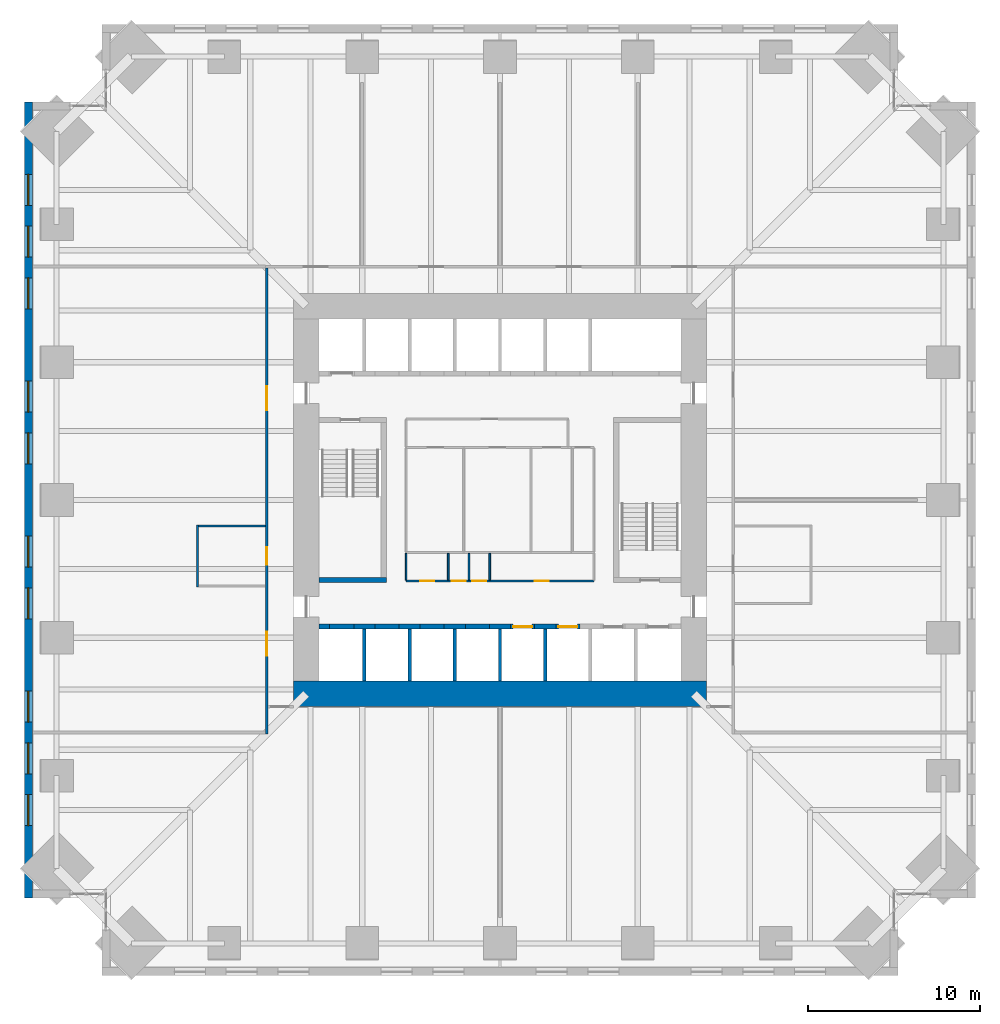
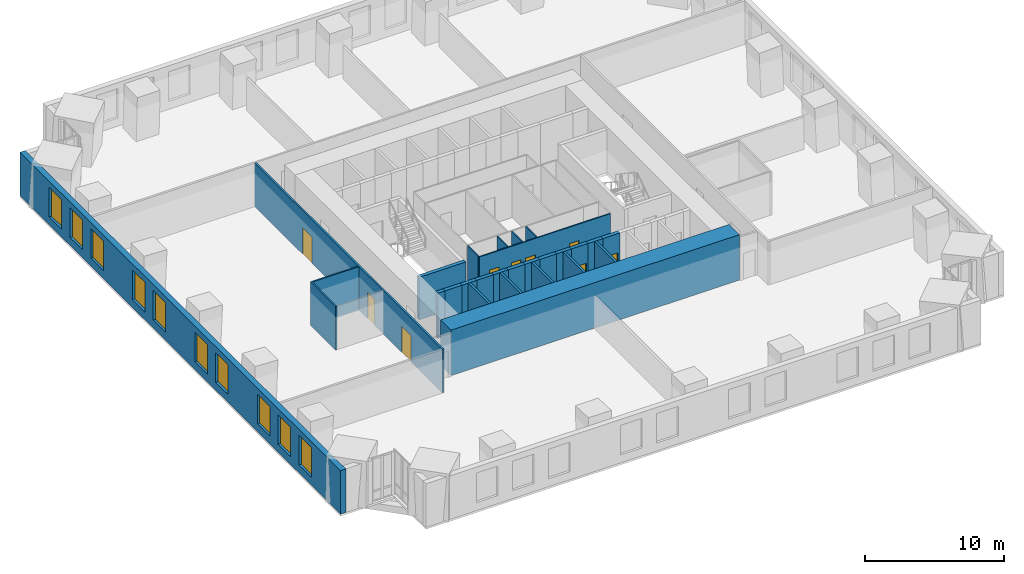
# One storey, part 12 of 16: 28 walls, 10 windows, 9 doors, 19 openings.
"""IFC4 building model written with IfcOpenShell, lengths in metres."""

from ifc_helpers import new_model, si_unit, direction, frame, frame_2d, origin, place, context, subcontext, project, spatial, rectangle, extrude, material, layer, layer_set, type_object, element, fill, save


model = new_model("IFC4")

# Units and contexts
model_context = context("Model", 3, precision=1e-05, world=origin(), true_north=direction((0.0, 1.0)))
body_context = subcontext(model_context, "Body", "Model", "MODEL_VIEW")
ifc_project = project(units=[si_unit("LENGTHUNIT", "METRE"), si_unit("AREAUNIT", "SQUARE_METRE"), si_unit("VOLUMEUNIT", "CUBIC_METRE"), si_unit("PLANEANGLEUNIT", "RADIAN"), si_unit("MASSUNIT", "GRAM", prefix="KILO")], contexts=[model_context])

# Site, building, storey
site_placement = place(None, origin())
site = spatial("IfcSite", under=ifc_project, at=site_placement, CompositionType="ELEMENT")
building_placement = place(site_placement, origin())
building = spatial("IfcBuilding", under=site, at=building_placement, Name="Peilmerk Tower", CompositionType="ELEMENT")
storey_placement = place(building_placement, frame((0.0, 0.0, 127.800048828125)))
storey = spatial("IfcBuildingStorey", under=building, at=storey_placement, Name="L25", CompositionType="ELEMENT", Elevation=127.800048828125)

# Wall, openings, windows
ifc_material_1 = material(Name="Precast concrete C45/55, board-marked finish", Category="concrete")
ifc_layer_1 = layer(ifc_material_1, 0.449951171875)
ifc_layer_set_1 = layer_set([ifc_layer_1], Name="Precast concrete C45/55, board-marked finish")
wall_type_1 = type_object("IfcWallType", Name="EW1 450 precast concrete facade wall, board-marked", PredefinedType="SOLIDWALL", material=ifc_layer_set_1)
wall_1_placement = place(storey_placement, frame((-27.375, 23.10009765625, 0.0), z_axis=(0.0, 0.0, 1.0), x_axis=(0.0, -1.0, 0.0)))
wall_1 = element("IfcWall", 1, at=wall_1_placement, inside=storey, type_object=wall_type_1, Name="Facade wall W L25", PredefinedType="SOLIDWALL", context=body_context, shape_type="SweptSolid", body=[
    extrude(rectangle(XDim=46.2001953125, YDim=0.449951171875, at=frame_2d((23.10009765625, 0.0))), origin(), (0.0, 0.0, 1.0), 3.829833984375),
])
opening_1_placement = place(wall_1_placement, frame((4.199951171875, 0.0, 0.699951171875)))
opening_1 = element("IfcOpeningElement", 2, at=opening_1_placement, cuts=wall_1, Name="Opening W1", PredefinedType="OPENING", context=body_context, shape_type="SweptSolid", body=[
    extrude(rectangle(XDim=1.800048828125, YDim=2.60009765625, at=frame_2d((0.89990234375, 1.300048828125))), frame((0.0, 0.23486328125, 0.0), z_axis=(0.0, -1.0, 0.0), x_axis=(1.0, 0.0, 0.0)), (0.0, 0.0, 1.0), 0.469970703125),
])
opening_2_placement = place(wall_1_placement, frame((7.199951171875, 0.0, 0.699951171875)))
opening_2 = element("IfcOpeningElement", 3, at=opening_2_placement, cuts=wall_1, Name="Opening W1", PredefinedType="OPENING", context=body_context, shape_type="SweptSolid", body=[
    extrude(rectangle(XDim=1.800048828125, YDim=2.60009765625, at=frame_2d((0.89990234375, 1.300048828125))), frame((0.0, 0.23486328125, 0.0), z_axis=(0.0, -1.0, 0.0), x_axis=(1.0, 0.0, 0.0)), (0.0, 0.0, 1.0), 0.469970703125),
])
opening_3_placement = place(wall_1_placement, frame((10.199951171875, 0.0, 0.699951171875)))
opening_3 = element("IfcOpeningElement", 4, at=opening_3_placement, cuts=wall_1, Name="Opening W1", PredefinedType="OPENING", context=body_context, shape_type="SweptSolid", body=[
    extrude(rectangle(XDim=1.800048828125, YDim=2.60009765625, at=frame_2d((0.89990234375, 1.300048828125))), frame((0.0, 0.23486328125, 0.0), z_axis=(0.0, -1.0, 0.0), x_axis=(1.0, 0.0, 0.0)), (0.0, 0.0, 1.0), 0.469970703125),
])
opening_4_placement = place(wall_1_placement, frame((16.199951171875, 0.0, 0.699951171875)))
opening_4 = element("IfcOpeningElement", 5, at=opening_4_placement, cuts=wall_1, Name="Opening W1", PredefinedType="OPENING", context=body_context, shape_type="SweptSolid", body=[
    extrude(rectangle(XDim=1.800048828125, YDim=2.60009765625, at=frame_2d((0.89990234375, 1.300048828125))), frame((0.0, 0.23486328125, 0.0), z_axis=(0.0, -1.0, 0.0), x_axis=(1.0, 0.0, 0.0)), (0.0, 0.0, 1.0), 0.469970703125),
])
opening_5_placement = place(wall_1_placement, frame((19.199951171875, 0.0, 0.699951171875)))
opening_5 = element("IfcOpeningElement", 6, at=opening_5_placement, cuts=wall_1, Name="Opening W1", PredefinedType="OPENING", context=body_context, shape_type="SweptSolid", body=[
    extrude(rectangle(XDim=1.800048828125, YDim=2.60009765625, at=frame_2d((0.89990234375, 1.300048828125))), frame((0.0, 0.23486328125, 0.0), z_axis=(0.0, -1.0, 0.0), x_axis=(1.0, 0.0, 0.0)), (0.0, 0.0, 1.0), 0.469970703125),
])
opening_6_placement = place(wall_1_placement, frame((25.199951171875, 0.0, 0.699951171875)))
opening_6 = element("IfcOpeningElement", 7, at=opening_6_placement, cuts=wall_1, Name="Opening W1", PredefinedType="OPENING", context=body_context, shape_type="SweptSolid", body=[
    extrude(rectangle(XDim=1.800048828125, YDim=2.60009765625, at=frame_2d((0.89990234375, 1.300048828125))), frame((0.0, 0.23486328125, 0.0), z_axis=(0.0, -1.0, 0.0), x_axis=(1.0, 0.0, 0.0)), (0.0, 0.0, 1.0), 0.469970703125),
])
opening_7_placement = place(wall_1_placement, frame((28.199951171875, 0.0, 0.699951171875)))
opening_7 = element("IfcOpeningElement", 8, at=opening_7_placement, cuts=wall_1, Name="Opening W1", PredefinedType="OPENING", context=body_context, shape_type="SweptSolid", body=[
    extrude(rectangle(XDim=1.800048828125, YDim=2.60009765625, at=frame_2d((0.89990234375, 1.300048828125))), frame((0.0, 0.23486328125, 0.0), z_axis=(0.0, -1.0, 0.0), x_axis=(1.0, 0.0, 0.0)), (0.0, 0.0, 1.0), 0.469970703125),
])
opening_8_placement = place(wall_1_placement, frame((34.199951171875, 0.0, 0.699951171875)))
opening_8 = element("IfcOpeningElement", 9, at=opening_8_placement, cuts=wall_1, Name="Opening W1", PredefinedType="OPENING", context=body_context, shape_type="SweptSolid", body=[
    extrude(rectangle(XDim=1.800048828125, YDim=2.60009765625, at=frame_2d((0.89990234375, 1.300048828125))), frame((0.0, 0.23486328125, 0.0), z_axis=(0.0, -1.0, 0.0), x_axis=(1.0, 0.0, 0.0)), (0.0, 0.0, 1.0), 0.469970703125),
])
opening_9_placement = place(wall_1_placement, frame((37.199951171875, 0.0, 0.699951171875)))
opening_9 = element("IfcOpeningElement", 10, at=opening_9_placement, cuts=wall_1, Name="Opening W1", PredefinedType="OPENING", context=body_context, shape_type="SweptSolid", body=[
    extrude(rectangle(XDim=1.800048828125, YDim=2.60009765625, at=frame_2d((0.89990234375, 1.300048828125))), frame((0.0, 0.23486328125, 0.0), z_axis=(0.0, -1.0, 0.0), x_axis=(1.0, 0.0, 0.0)), (0.0, 0.0, 1.0), 0.469970703125),
])
opening_10_placement = place(wall_1_placement, frame((40.199951171875, 0.0, 0.699951171875)))
opening_10 = element("IfcOpeningElement", 11, at=opening_10_placement, cuts=wall_1, Name="Opening W1", PredefinedType="OPENING", context=body_context, shape_type="SweptSolid", body=[
    extrude(rectangle(XDim=1.800048828125, YDim=2.60009765625, at=frame_2d((0.89990234375, 1.300048828125))), frame((0.0, 0.23486328125, 0.0), z_axis=(0.0, -1.0, 0.0), x_axis=(1.0, 0.0, 0.0)), (0.0, 0.0, 1.0), 0.469970703125),
])
ifc_material_2 = material(Name="Aluminium frame, clear double glazing", Category="aluminium")
window_type = type_object("IfcWindowType", Name="W1 1800x2600 office window", PartitioningType="SINGLE_PANEL", PredefinedType="WINDOW", material=ifc_material_2)
window_1_placement = place(opening_1_placement, origin())
window_1 = element("IfcWindow", 12, at=window_1_placement, inside=storey, type_object=window_type, Name="Window W1 L25", OverallHeight=2.60009765625, OverallWidth=1.800048828125, PartitioningType="SINGLE_PANEL", PredefinedType="WINDOW", context=body_context, shape_type="SweptSolid", body=[
    extrude(rectangle(XDim=1.800048828125, YDim=2.60009765625, at=frame_2d((0.89990234375, 1.300048828125))), frame((0.0, 0.030029296875, 0.0), z_axis=(0.0, -1.0, 0.0), x_axis=(1.0, 0.0, 0.0)), (0.0, 0.0, 1.0), 0.06005859375),
])
fill(opening_1, window_1)
window_2_placement = place(opening_2_placement, origin())
window_2 = element("IfcWindow", 13, at=window_2_placement, inside=storey, type_object=window_type, Name="Window W1 L25", OverallHeight=2.60009765625, OverallWidth=1.800048828125, PartitioningType="SINGLE_PANEL", PredefinedType="WINDOW", context=body_context, shape_type="SweptSolid", body=[
    extrude(rectangle(XDim=1.800048828125, YDim=2.60009765625, at=frame_2d((0.89990234375, 1.300048828125))), frame((0.0, 0.030029296875, 0.0), z_axis=(0.0, -1.0, 0.0), x_axis=(1.0, 0.0, 0.0)), (0.0, 0.0, 1.0), 0.06005859375),
])
fill(opening_2, window_2)
window_3_placement = place(opening_3_placement, origin())
window_3 = element("IfcWindow", 14, at=window_3_placement, inside=storey, type_object=window_type, Name="Window W1 L25", OverallHeight=2.60009765625, OverallWidth=1.800048828125, PartitioningType="SINGLE_PANEL", PredefinedType="WINDOW", context=body_context, shape_type="SweptSolid", body=[
    extrude(rectangle(XDim=1.800048828125, YDim=2.60009765625, at=frame_2d((0.89990234375, 1.300048828125))), frame((0.0, 0.030029296875, 0.0), z_axis=(0.0, -1.0, 0.0), x_axis=(1.0, 0.0, 0.0)), (0.0, 0.0, 1.0), 0.06005859375),
])
fill(opening_3, window_3)
window_4_placement = place(opening_4_placement, origin())
window_4 = element("IfcWindow", 15, at=window_4_placement, inside=storey, type_object=window_type, Name="Window W1 L25", OverallHeight=2.60009765625, OverallWidth=1.800048828125, PartitioningType="SINGLE_PANEL", PredefinedType="WINDOW", context=body_context, shape_type="SweptSolid", body=[
    extrude(rectangle(XDim=1.800048828125, YDim=2.60009765625, at=frame_2d((0.89990234375, 1.300048828125))), frame((0.0, 0.030029296875, 0.0), z_axis=(0.0, -1.0, 0.0), x_axis=(1.0, 0.0, 0.0)), (0.0, 0.0, 1.0), 0.06005859375),
])
fill(opening_4, window_4)
window_5_placement = place(opening_5_placement, origin())
window_5 = element("IfcWindow", 16, at=window_5_placement, inside=storey, type_object=window_type, Name="Window W1 L25", OverallHeight=2.60009765625, OverallWidth=1.800048828125, PartitioningType="SINGLE_PANEL", PredefinedType="WINDOW", context=body_context, shape_type="SweptSolid", body=[
    extrude(rectangle(XDim=1.800048828125, YDim=2.60009765625, at=frame_2d((0.89990234375, 1.300048828125))), frame((0.0, 0.030029296875, 0.0), z_axis=(0.0, -1.0, 0.0), x_axis=(1.0, 0.0, 0.0)), (0.0, 0.0, 1.0), 0.06005859375),
])
fill(opening_5, window_5)
window_6_placement = place(opening_6_placement, origin())
window_6 = element("IfcWindow", 17, at=window_6_placement, inside=storey, type_object=window_type, Name="Window W1 L25", OverallHeight=2.60009765625, OverallWidth=1.800048828125, PartitioningType="SINGLE_PANEL", PredefinedType="WINDOW", context=body_context, shape_type="SweptSolid", body=[
    extrude(rectangle(XDim=1.800048828125, YDim=2.60009765625, at=frame_2d((0.89990234375, 1.300048828125))), frame((0.0, 0.030029296875, 0.0), z_axis=(0.0, -1.0, 0.0), x_axis=(1.0, 0.0, 0.0)), (0.0, 0.0, 1.0), 0.06005859375),
])
fill(opening_6, window_6)
window_7_placement = place(opening_7_placement, origin())
window_7 = element("IfcWindow", 18, at=window_7_placement, inside=storey, type_object=window_type, Name="Window W1 L25", OverallHeight=2.60009765625, OverallWidth=1.800048828125, PartitioningType="SINGLE_PANEL", PredefinedType="WINDOW", context=body_context, shape_type="SweptSolid", body=[
    extrude(rectangle(XDim=1.800048828125, YDim=2.60009765625, at=frame_2d((0.89990234375, 1.300048828125))), frame((0.0, 0.030029296875, 0.0), z_axis=(0.0, -1.0, 0.0), x_axis=(1.0, 0.0, 0.0)), (0.0, 0.0, 1.0), 0.06005859375),
])
fill(opening_7, window_7)
window_8_placement = place(opening_8_placement, origin())
window_8 = element("IfcWindow", 19, at=window_8_placement, inside=storey, type_object=window_type, Name="Window W1 L25", OverallHeight=2.60009765625, OverallWidth=1.800048828125, PartitioningType="SINGLE_PANEL", PredefinedType="WINDOW", context=body_context, shape_type="SweptSolid", body=[
    extrude(rectangle(XDim=1.800048828125, YDim=2.60009765625, at=frame_2d((0.89990234375, 1.300048828125))), frame((0.0, 0.030029296875, 0.0), z_axis=(0.0, -1.0, 0.0), x_axis=(1.0, 0.0, 0.0)), (0.0, 0.0, 1.0), 0.06005859375),
])
fill(opening_8, window_8)
window_9_placement = place(opening_9_placement, origin())
window_9 = element("IfcWindow", 20, at=window_9_placement, inside=storey, type_object=window_type, Name="Window W1 L25", OverallHeight=2.60009765625, OverallWidth=1.800048828125, PartitioningType="SINGLE_PANEL", PredefinedType="WINDOW", context=body_context, shape_type="SweptSolid", body=[
    extrude(rectangle(XDim=1.800048828125, YDim=2.60009765625, at=frame_2d((0.89990234375, 1.300048828125))), frame((0.0, 0.030029296875, 0.0), z_axis=(0.0, -1.0, 0.0), x_axis=(1.0, 0.0, 0.0)), (0.0, 0.0, 1.0), 0.06005859375),
])
fill(opening_9, window_9)
window_10_placement = place(opening_10_placement, origin())
window_10 = element("IfcWindow", 21, at=window_10_placement, inside=storey, type_object=window_type, Name="Window W1 L25", OverallHeight=2.60009765625, OverallWidth=1.800048828125, PartitioningType="SINGLE_PANEL", PredefinedType="WINDOW", context=body_context, shape_type="SweptSolid", body=[
    extrude(rectangle(XDim=1.800048828125, YDim=2.60009765625, at=frame_2d((0.89990234375, 1.300048828125))), frame((0.0, 0.030029296875, 0.0), z_axis=(0.0, -1.0, 0.0), x_axis=(1.0, 0.0, 0.0)), (0.0, 0.0, 1.0), 0.06005859375),
])
fill(opening_10, window_10)

# Wall, openings, doors
ifc_material_3 = material(Name="Calcium silicate block", Category="masonry")
ifc_layer_2 = layer(ifc_material_3, 0.14990234375)
ifc_layer_set_2 = layer_set([ifc_layer_2], Name="Calcium silicate block")
wall_type_2 = type_object("IfcWallType", Name="IW1 150 corridor partition, EI 60", PredefinedType="PARTITIONING", material=ifc_layer_set_2)
wall_2_placement = place(storey_placement, frame((-13.550048828125, 13.47509765625, 0.0), z_axis=(0.0, 0.0, 1.0), x_axis=(0.0, -1.0, 0.0)))
wall_2 = element("IfcWall", 22, at=wall_2_placement, inside=storey, type_object=wall_type_2, Name="Corridor wall W L25", PredefinedType="PARTITIONING", context=body_context, shape_type="SweptSolid", body=[
    extrude(rectangle(XDim=27.050048828125, YDim=0.14990234375, at=frame_2d((13.52490234375, 0.0))), origin(), (0.0, 0.0, 1.0), 3.829833984375),
])
opening_11_placement = place(wall_2_placement, frame((21.125, 0.0, 0.0)))
opening_11 = element("IfcOpeningElement", 23, at=opening_11_placement, cuts=wall_2, Name="Opening D8", PredefinedType="OPENING", context=body_context, shape_type="SweptSolid", body=[
    extrude(rectangle(XDim=1.39990234375, YDim=2.300048828125, at=frame_2d((0.699951171875, 1.14990234375))), frame((0.0, 0.0849609375, 0.0), z_axis=(0.0, -1.0, 0.0), x_axis=(1.0, 0.0, 0.0)), (0.0, 0.0, 1.0), 0.169921875),
])
opening_12_placement = place(wall_2_placement, frame((6.875, 0.0, 0.0)))
opening_12 = element("IfcOpeningElement", 24, at=opening_12_placement, cuts=wall_2, Name="Opening D8", PredefinedType="OPENING", context=body_context, shape_type="SweptSolid", body=[
    extrude(rectangle(XDim=1.39990234375, YDim=2.300048828125, at=frame_2d((0.699951171875, 1.14990234375))), frame((0.0, 0.0849609375, 0.0), z_axis=(0.0, -1.0, 0.0), x_axis=(1.0, 0.0, 0.0)), (0.0, 0.0, 1.0), 0.169921875),
])
opening_13_placement = place(wall_2_placement, frame((16.22509765625, 0.0, 0.0)))
opening_13 = element("IfcOpeningElement", 25, at=opening_13_placement, cuts=wall_2, Name="Opening D1", PredefinedType="OPENING", context=body_context, shape_type="SweptSolid", body=[
    extrude(rectangle(XDim=1.0, YDim=2.300048828125, at=frame_2d((0.5, 1.14990234375))), frame((0.0, 0.0849609375, 0.0), z_axis=(0.0, -1.0, 0.0), x_axis=(1.0, 0.0, 0.0)), (0.0, 0.0, 1.0), 0.169921875),
])
ifc_material_4 = material(Name="Timber door in steel frame", Category="steel")
door_type_1 = type_object("IfcDoorType", Name="D1 1000x2300 room door, EI2 30", OperationType="SINGLE_SWING_LEFT", PredefinedType="DOOR", material=ifc_material_4)
door_1_placement = place(opening_13_placement, frame((1.0, 0.0, 0.0), z_axis=(0.0, 0.0, 1.0), x_axis=(-1.0, 0.0, 0.0)))
door_1 = element("IfcDoor", 26, at=door_1_placement, inside=storey, type_object=door_type_1, Name="Door Pantry L25", OperationType="SINGLE_SWING_LEFT", OverallHeight=2.300048828125, OverallWidth=1.0, PredefinedType="DOOR", context=body_context, shape_type="SweptSolid", body=[
    extrude(rectangle(XDim=1.0, YDim=2.300048828125, at=frame_2d((0.5, 1.14990234375))), frame((0.0, 0.02490234375, 0.0), z_axis=(0.0, -1.0, 0.0), x_axis=(1.0, 0.0, 0.0)), (0.0, 0.0, 1.0), 0.050048828125),
])
fill(opening_13, door_1)
door_type_2 = type_object("IfcDoorType", Name="D8 1400x2300 leaf-and-a-half door, EI2 30", OperationType="DOUBLE_DOOR_SINGLE_SWING", PredefinedType="DOOR", material=ifc_material_4)
door_2_placement = place(opening_11_placement, frame((1.39990234375, 0.0, 0.0), z_axis=(0.0, 0.0, 1.0), x_axis=(-1.0, 0.0, 0.0)))
door_2 = element("IfcDoor", 27, at=door_2_placement, inside=storey, type_object=door_type_2, Name="Door Tenant suite L25", OperationType="DOUBLE_DOOR_SINGLE_SWING", OverallHeight=2.300048828125, OverallWidth=1.39990234375, PredefinedType="DOOR", context=body_context, shape_type="SweptSolid", body=[
    extrude(rectangle(XDim=1.39990234375, YDim=2.300048828125, at=frame_2d((0.699951171875, 1.14990234375))), frame((0.0, 0.02490234375, 0.0), z_axis=(0.0, -1.0, 0.0), x_axis=(1.0, 0.0, 0.0)), (0.0, 0.0, 1.0), 0.050048828125),
])
fill(opening_11, door_2)
door_3_placement = place(opening_12_placement, frame((1.39990234375, 0.0, 0.0), z_axis=(0.0, 0.0, 1.0), x_axis=(-1.0, 0.0, 0.0)))
door_3 = element("IfcDoor", 28, at=door_3_placement, inside=storey, type_object=door_type_2, Name="Door Tenant suite L25", OperationType="DOUBLE_DOOR_SINGLE_SWING", OverallHeight=2.300048828125, OverallWidth=1.39990234375, PredefinedType="DOOR", context=body_context, shape_type="SweptSolid", body=[
    extrude(rectangle(XDim=1.39990234375, YDim=2.300048828125, at=frame_2d((0.699951171875, 1.14990234375))), frame((0.0, 0.02490234375, 0.0), z_axis=(0.0, -1.0, 0.0), x_axis=(1.0, 0.0, 0.0)), (0.0, 0.0, 1.0), 0.050048828125),
])
fill(opening_12, door_3)

# Wall
ifc_material_5 = material(Name="Concrete C35/45", Category="concrete")
ifc_layer_3 = layer(ifc_material_5, 0.300048828125)
ifc_layer_set_3 = layer_set([ifc_layer_3], Name="Concrete C35/45")
wall_type_3 = type_object("IfcWallType", Name="IW3 300 concrete stair enclosure wall, EI 120", PredefinedType="SOLIDWALL", material=ifc_layer_set_3)
wall_3_placement = place(storey_placement, frame((-6.60009765625, -4.64990234375, 0.0), z_axis=(0.0, 0.0, 1.0), x_axis=(-1.0, 0.0, 0.0)))
element("IfcWall", 29, at=wall_3_placement, inside=storey, type_object=wall_type_3, Name="Stair 1 enclosure L25", PredefinedType="SOLIDWALL", context=body_context, shape_type="SweptSolid", body=[
    extrude(rectangle(XDim=3.89990234375, YDim=0.300048828125, at=frame_2d((1.949951171875, 0.0))), origin(), (0.0, 0.0, 1.0), 3.75),
])

# Wall, openings, doors
ifc_material_6 = material(Name="Calcium silicate board on steel studs", Category="steel")
ifc_layer_4 = layer(ifc_material_6, 0.10009765625)
ifc_layer_set_4 = layer_set([ifc_layer_4], Name="Calcium silicate board on steel studs")
wall_type_4 = type_object("IfcWallType", Name="IW5 100 riser enclosure wall, EI 60", PredefinedType="PARTITIONING", material=ifc_layer_set_4)
wall_4_placement = place(storey_placement, frame((5.449951171875, -4.699951171875, 0.0), z_axis=(0.0, 0.0, 1.0), x_axis=(-1.0, 0.0, 0.0)))
wall_4 = element("IfcWall", 30, at=wall_4_placement, inside=storey, type_object=wall_type_4, Name="Riser wall L25", PredefinedType="PARTITIONING", context=body_context, shape_type="SweptSolid", body=[
    extrude(rectangle(XDim=10.89990234375, YDim=0.10009765625, at=frame_2d((5.449951171875, 0.0))), origin(), (0.0, 0.0, 1.0), 3.75),
])
opening_14_placement = place(wall_4_placement, frame((9.27490234375, 0.0, 0.0)))
opening_14 = element("IfcOpeningElement", 31, at=opening_14_placement, cuts=wall_4, Name="Opening D7", PredefinedType="OPENING", context=body_context, shape_type="SweptSolid", body=[
    extrude(rectangle(XDim=0.800048828125, YDim=2.300048828125, at=frame_2d((0.39990234375, 1.14990234375))), frame((0.0, 0.06005859375, 0.0), z_axis=(0.0, -1.0, 0.0), x_axis=(1.0, 0.0, 0.0)), (0.0, 0.0, 1.0), 0.1201171875),
])
opening_15_placement = place(wall_4_placement, frame((7.449951171875, 0.0, 0.0)))
opening_15 = element("IfcOpeningElement", 32, at=opening_15_placement, cuts=wall_4, Name="Opening D7", PredefinedType="OPENING", context=body_context, shape_type="SweptSolid", body=[
    extrude(rectangle(XDim=0.800048828125, YDim=2.300048828125, at=frame_2d((0.39990234375, 1.14990234375))), frame((0.0, 0.06005859375, 0.0), z_axis=(0.0, -1.0, 0.0), x_axis=(1.0, 0.0, 0.0)), (0.0, 0.0, 1.0), 0.1201171875),
])
opening_16_placement = place(wall_4_placement, frame((6.25, 0.0, 0.0)))
opening_16 = element("IfcOpeningElement", 33, at=opening_16_placement, cuts=wall_4, Name="Opening D7", PredefinedType="OPENING", context=body_context, shape_type="SweptSolid", body=[
    extrude(rectangle(XDim=0.800048828125, YDim=2.300048828125, at=frame_2d((0.39990234375, 1.14990234375))), frame((0.0, 0.06005859375, 0.0), z_axis=(0.0, -1.0, 0.0), x_axis=(1.0, 0.0, 0.0)), (0.0, 0.0, 1.0), 0.1201171875),
])
opening_17_placement = place(wall_4_placement, frame((2.625, 0.0, 0.0)))
opening_17 = element("IfcOpeningElement", 34, at=opening_17_placement, cuts=wall_4, Name="Opening D7", PredefinedType="OPENING", context=body_context, shape_type="SweptSolid", body=[
    extrude(rectangle(XDim=0.800048828125, YDim=2.300048828125, at=frame_2d((0.39990234375, 1.14990234375))), frame((0.0, 0.06005859375, 0.0), z_axis=(0.0, -1.0, 0.0), x_axis=(1.0, 0.0, 0.0)), (0.0, 0.0, 1.0), 0.1201171875),
])
ifc_material_7 = material(Name="Steel door in steel frame", Category="steel")
door_type_3 = type_object("IfcDoorType", Name="D7 800x2300 riser access door, EI2 60", OperationType="SINGLE_SWING_RIGHT", PredefinedType="DOOR", material=ifc_material_7)
door_4_placement = place(opening_14_placement, frame((0.800048828125, 0.0, 0.0), z_axis=(0.0, 0.0, 1.0), x_axis=(-1.0, 0.0, 0.0)))
door_4 = element("IfcDoor", 35, at=door_4_placement, inside=storey, type_object=door_type_3, Name="Cleaner's cupboard door L25", OperationType="SINGLE_SWING_RIGHT", OverallHeight=2.300048828125, OverallWidth=0.800048828125, PredefinedType="DOOR", context=body_context, shape_type="SweptSolid", body=[
    extrude(rectangle(XDim=0.800048828125, YDim=2.300048828125, at=frame_2d((0.39990234375, 1.14990234375))), frame((0.0, 0.02490234375, 0.0), z_axis=(0.0, -1.0, 0.0), x_axis=(1.0, 0.0, 0.0)), (0.0, 0.0, 1.0), 0.050048828125),
])
fill(opening_14, door_4)
door_5_placement = place(opening_15_placement, frame((0.800048828125, 0.0, 0.0), z_axis=(0.0, 0.0, 1.0), x_axis=(-1.0, 0.0, 0.0)))
door_5 = element("IfcDoor", 36, at=door_5_placement, inside=storey, type_object=door_type_3, Name="Electrical riser door L25", OperationType="SINGLE_SWING_RIGHT", OverallHeight=2.300048828125, OverallWidth=0.800048828125, PredefinedType="DOOR", context=body_context, shape_type="SweptSolid", body=[
    extrude(rectangle(XDim=0.800048828125, YDim=2.300048828125, at=frame_2d((0.39990234375, 1.14990234375))), frame((0.0, 0.02490234375, 0.0), z_axis=(0.0, -1.0, 0.0), x_axis=(1.0, 0.0, 0.0)), (0.0, 0.0, 1.0), 0.050048828125),
])
fill(opening_15, door_5)
door_6_placement = place(opening_16_placement, frame((0.800048828125, 0.0, 0.0), z_axis=(0.0, 0.0, 1.0), x_axis=(-1.0, 0.0, 0.0)))
door_6 = element("IfcDoor", 37, at=door_6_placement, inside=storey, type_object=door_type_3, Name="Data riser door L25", OperationType="SINGLE_SWING_RIGHT", OverallHeight=2.300048828125, OverallWidth=0.800048828125, PredefinedType="DOOR", context=body_context, shape_type="SweptSolid", body=[
    extrude(rectangle(XDim=0.800048828125, YDim=2.300048828125, at=frame_2d((0.39990234375, 1.14990234375))), frame((0.0, 0.02490234375, 0.0), z_axis=(0.0, -1.0, 0.0), x_axis=(1.0, 0.0, 0.0)), (0.0, 0.0, 1.0), 0.050048828125),
])
fill(opening_16, door_6)
door_7_placement = place(opening_17_placement, frame((0.800048828125, 0.0, 0.0), z_axis=(0.0, 0.0, 1.0), x_axis=(-1.0, 0.0, 0.0)))
door_7 = element("IfcDoor", 38, at=door_7_placement, inside=storey, type_object=door_type_3, Name="Comms room door L25", OperationType="SINGLE_SWING_RIGHT", OverallHeight=2.300048828125, OverallWidth=0.800048828125, PredefinedType="DOOR", context=body_context, shape_type="SweptSolid", body=[
    extrude(rectangle(XDim=0.800048828125, YDim=2.300048828125, at=frame_2d((0.39990234375, 1.14990234375))), frame((0.0, 0.02490234375, 0.0), z_axis=(0.0, -1.0, 0.0), x_axis=(1.0, 0.0, 0.0)), (0.0, 0.0, 1.0), 0.050048828125),
])
fill(opening_17, door_7)

# Walls
for number, where, z_axis, x_axis, name in (
    (39, (-5.449951171875, -3.10009765625, 0.0), (0.0, 0.0, 1.0), (0.0, -1.0, 0.0), "Riser wall L25"),
    (40, (-3.0, -3.10009765625, 0.0), (0.0, 0.0, 1.0), (0.0, -1.0, 0.0), "Riser wall L25"),
    (41, (-1.800048828125, -3.10009765625, 0.0), (0.0, 0.0, 1.0), (0.0, -1.0, 0.0), "Riser wall L25"),
    (42, (-0.60009765625, -3.10009765625, 0.0), (0.0, 0.0, 1.0), (0.0, -1.0, 0.0), "Riser wall L25"),
):
    element("IfcWall", number, at=place(storey_placement, frame(where, z_axis=z_axis, x_axis=x_axis)), inside=storey, type_object=wall_type_4, Name=name, PredefinedType="PARTITIONING", context=body_context, shape_type="SweptSolid", body=[
        extrude(rectangle(XDim=1.5498046875, YDim=0.10009765625, at=frame_2d((0.77490234375, 0.0))), origin(), (0.0, 0.0, 1.0), 3.75),
    ])
ifc_material_8 = material(Name="Plasterboard on steel studs, double boarded with mineral wool", Category="steel")
ifc_layer_5 = layer(ifc_material_8, 0.125)
ifc_layer_set_5 = layer_set([ifc_layer_5], Name="Plasterboard on steel studs, double boarded with mineral wool")
wall_type_5 = type_object("IfcWallType", Name="IW7 125 acoustic partition, EI 30", PredefinedType="PARTITIONING", material=ifc_layer_set_5)
wall_5_placement = place(storey_placement, frame((-17.550048828125, -5.0625, 0.0), z_axis=(0.0, 0.0, 1.0), x_axis=(0.0, 1.0, 0.0)))
element("IfcWall", 43, at=wall_5_placement, inside=storey, type_object=wall_type_5, Name="Acoustic partition Pantry L25", PredefinedType="PARTITIONING", context=body_context, shape_type="SweptSolid", body=[
    extrude(rectangle(XDim=3.625, YDim=0.125, at=frame_2d((1.8125, 0.0))), origin(), (0.0, 0.0, 1.0), 3.829833984375),
])
wall_6_placement = place(storey_placement, frame((-13.625, -1.5, 0.0), z_axis=(0.0, 0.0, 1.0), x_axis=(-1.0, 0.0, 0.0)))
element("IfcWall", 44, at=wall_6_placement, inside=storey, type_object=wall_type_5, Name="Acoustic partition Pantry L25", PredefinedType="PARTITIONING", context=body_context, shape_type="SweptSolid", body=[
    extrude(rectangle(XDim=3.862548828125, YDim=0.125, at=frame_2d((1.93115234375, 0.0))), origin(), (0.0, 0.0, 1.0), 3.829833984375),
])
ifc_layer_6 = layer(ifc_material_3, 0.199951171875)
ifc_layer_set_6 = layer_set([ifc_layer_6], Name="Calcium silicate block")
wall_type_6 = type_object("IfcWallType", Name="SH1 200 shaft dividing wall, EI 120", PredefinedType="PARTITIONING", material=ifc_layer_set_6)
for number, where, z_axis, x_axis, name in (
    (45, (-7.875, -10.5, 0.0), (0.0, 0.0, 1.0), (0.0, 1.0, 0.0), "Shaft wall S C4 L25"),
    (46, (-5.25, -10.5, 0.0), (0.0, 0.0, 1.0), (0.0, 1.0, 0.0), "Shaft wall S C3 L25"),
    (47, (-2.625, -10.5, 0.0), (0.0, 0.0, 1.0), (0.0, 1.0, 0.0), "Shaft wall S C2 L25"),
    (48, (0.0, -10.5, 0.0), (0.0, 0.0, 1.0), (0.0, 1.0, 0.0), "Shaft wall S C1 L25"),
    (49, (2.625, -10.5, 0.0), (0.0, 0.0, 1.0), (0.0, 1.0, 0.0), "Shaft wall S B3 L25"),
):
    element("IfcWall", number, at=place(storey_placement, frame(where, z_axis=z_axis, x_axis=x_axis)), inside=storey, type_object=wall_type_6, Name=name, PredefinedType="PARTITIONING", context=body_context, shape_type="SweptSolid", body=[
        extrude(rectangle(XDim=3.0, YDim=0.199951171875, at=frame_2d((1.5, 0.0))), origin(), (0.0, 0.0, 1.0), 4.0),
    ])
ifc_layer_7 = layer(ifc_material_3, 0.300048828125)
ifc_layer_set_7 = layer_set([ifc_layer_7], Name="Calcium silicate block")
wall_type_7 = type_object("IfcWallType", Name="SH2 300 lift landing door panel, EI 120", PredefinedType="PARTITIONING", material=ifc_layer_set_7)
for number, where, z_axis, x_axis, name in (
    (50, (-9.887451171875, -7.35009765625, 0.0), (0.0, 0.0, 1.0), (1.0, 0.0, 0.0), "Lift door panel S C4 L25"),
    (51, (-7.262451171875, -7.35009765625, 0.0), (0.0, 0.0, 1.0), (1.0, 0.0, 0.0), "Lift door panel S C3 L25"),
    (52, (-4.637451171875, -7.35009765625, 0.0), (0.0, 0.0, 1.0), (1.0, 0.0, 0.0), "Lift door panel S C2 L25"),
    (53, (-2.012451171875, -7.35009765625, 0.0), (0.0, 0.0, 1.0), (1.0, 0.0, 0.0), "Lift door panel S C1 L25"),
):
    element("IfcWall", number, at=place(storey_placement, frame(where, z_axis=z_axis, x_axis=x_axis)), inside=storey, type_object=wall_type_7, Name=name, PredefinedType="PARTITIONING", context=body_context, shape_type="SweptSolid", body=[
        extrude(rectangle(XDim=1.39990234375, YDim=0.300048828125, at=frame_2d((0.699951171875, 0.0))), origin(), (0.0, 0.0, 1.0), 4.0),
    ])

# Wall, opening, door
wall_7_placement = place(storey_placement, frame((0.612548828125, -7.35009765625, 0.0), z_axis=(0.0, 0.0, 1.0), x_axis=(1.0, 0.0, 0.0)))
wall_7 = element("IfcWall", 54, at=wall_7_placement, inside=storey, type_object=wall_type_7, Name="Lift door panel S B3 L25", PredefinedType="PARTITIONING", context=body_context, shape_type="SweptSolid", body=[
    extrude(rectangle(XDim=1.39990234375, YDim=0.300048828125, at=frame_2d((0.699951171875, 0.0))), origin(), (0.0, 0.0, 1.0), 4.0),
])
opening_18_placement = place(wall_7_placement, frame((0.14990234375, 0.0, 0.0)))
opening_18 = element("IfcOpeningElement", 55, at=opening_18_placement, cuts=wall_7, Name="Opening LD1", PredefinedType="OPENING", context=body_context, shape_type="SweptSolid", body=[
    extrude(rectangle(XDim=1.10009765625, YDim=2.300048828125, at=frame_2d((0.550048828125, 1.14990234375))), frame((0.0, 0.159912109375, 0.0), z_axis=(0.0, -1.0, 0.0), x_axis=(1.0, 0.0, 0.0)), (0.0, 0.0, 1.0), 0.320068359375),
])
ifc_material_9 = material(Name="Stainless steel landing door", Category="steel")
door_type_4 = type_object("IfcDoorType", Name="LD1 1100x2300 lift landing door, sliding, EI2 60", OperationType="SLIDING_TO_LEFT", PredefinedType="DOOR", material=ifc_material_9)
door_8_placement = place(opening_18_placement, origin())
door_8 = element("IfcDoor", 56, at=door_8_placement, inside=storey, type_object=door_type_4, Name="Lift landing door B3 L25", OperationType="SLIDING_TO_LEFT", OverallHeight=2.300048828125, OverallWidth=1.10009765625, PredefinedType="DOOR", context=body_context, shape_type="SweptSolid", body=[
    extrude(rectangle(XDim=1.10009765625, YDim=2.300048828125, at=frame_2d((0.550048828125, 1.14990234375))), frame((0.0, 0.02490234375, 0.0), z_axis=(0.0, -1.0, 0.0), x_axis=(1.0, 0.0, 0.0)), (0.0, 0.0, 1.0), 0.050048828125),
])
fill(opening_18, door_8)

wall_8_placement = place(storey_placement, frame((3.237548828125, -7.35009765625, 0.0), z_axis=(0.0, 0.0, 1.0), x_axis=(1.0, 0.0, 0.0)))
wall_8 = element("IfcWall", 57, at=wall_8_placement, inside=storey, type_object=wall_type_7, Name="Lift door panel S B2 L25", PredefinedType="PARTITIONING", context=body_context, shape_type="SweptSolid", body=[
    extrude(rectangle(XDim=1.39990234375, YDim=0.300048828125, at=frame_2d((0.699951171875, 0.0))), origin(), (0.0, 0.0, 1.0), 4.0),
])
opening_19_placement = place(wall_8_placement, frame((0.14990234375, 0.0, 0.0)))
opening_19 = element("IfcOpeningElement", 58, at=opening_19_placement, cuts=wall_8, Name="Opening LD1", PredefinedType="OPENING", context=body_context, shape_type="SweptSolid", body=[
    extrude(rectangle(XDim=1.10009765625, YDim=2.300048828125, at=frame_2d((0.550048828125, 1.14990234375))), frame((0.0, 0.159912109375, 0.0), z_axis=(0.0, -1.0, 0.0), x_axis=(1.0, 0.0, 0.0)), (0.0, 0.0, 1.0), 0.320068359375),
])
door_9_placement = place(opening_19_placement, origin())
door_9 = element("IfcDoor", 59, at=door_9_placement, inside=storey, type_object=door_type_4, Name="Lift landing door B2 L25", OperationType="SLIDING_TO_LEFT", OverallHeight=2.300048828125, OverallWidth=1.10009765625, PredefinedType="DOOR", context=body_context, shape_type="SweptSolid", body=[
    extrude(rectangle(XDim=1.10009765625, YDim=2.300048828125, at=frame_2d((0.550048828125, 1.14990234375))), frame((0.0, 0.02490234375, 0.0), z_axis=(0.0, -1.0, 0.0), x_axis=(1.0, 0.0, 0.0)), (0.0, 0.0, 1.0), 0.050048828125),
])
fill(opening_19, door_9)

# Walls
ifc_material_10 = material(Name="Concrete C55/67", Category="concrete")
ifc_layer_8 = layer(ifc_material_10, 1.5)
ifc_layer_set_8 = layer_set([ifc_layer_8], Name="Concrete C55/67")
wall_type_8 = type_object("IfcWallType", Name="SW1 1500 core wall", PredefinedType="SHEAR", material=ifc_layer_set_8)
wall_9_placement = place(storey_placement, frame((12.0, -11.25, 0.0), z_axis=(0.0, 0.0, 1.0), x_axis=(-1.0, 0.0, 0.0)))
element("IfcWall", 60, at=wall_9_placement, inside=storey, type_object=wall_type_8, Name="Core wall S L25", PredefinedType="SHEAR", context=body_context, shape_type="SweptSolid", body=[
    extrude(rectangle(XDim=24.0, YDim=1.5, at=frame_2d((12.0, 0.0))), origin(), (0.0, 0.0, 1.0), 4.0),
])
ifc_layer_9 = layer(ifc_material_10, 0.300048828125)
ifc_layer_set_9 = layer_set([ifc_layer_9], Name="Concrete C55/67")
wall_type_9 = type_object("IfcWallType", Name="SW2 300 lift bank pier", PredefinedType="SHEAR", material=ifc_layer_set_9)
wall_10_placement = place(storey_placement, frame((-10.5, -7.35009765625, 0.0), z_axis=(0.0, 0.0, 1.0), x_axis=(1.0, 0.0, 0.0)))
element("IfcWall", 61, at=wall_10_placement, inside=storey, type_object=wall_type_9, Name="Lift bank pier S L25", PredefinedType="SHEAR", context=body_context, shape_type="SweptSolid", body=[
    extrude(rectangle(XDim=0.612548828125, YDim=0.300048828125, at=frame_2d((0.30615234375, 0.0))), origin(), (0.0, 0.0, 1.0), 4.0),
])
for number, where, z_axis, x_axis, name in (
    (62, (-8.487548828125, -7.35009765625, 0.0), (0.0, 0.0, 1.0), (1.0, 0.0, 0.0), "Lift bank pier S L25"),
    (63, (-5.862548828125, -7.35009765625, 0.0), (0.0, 0.0, 1.0), (1.0, 0.0, 0.0), "Lift bank pier S L25"),
    (64, (-3.237548828125, -7.35009765625, 0.0), (0.0, 0.0, 1.0), (1.0, 0.0, 0.0), "Lift bank pier S L25"),
    (65, (-0.612548828125, -7.35009765625, 0.0), (0.0, 0.0, 1.0), (1.0, 0.0, 0.0), "Lift bank pier S L25"),
    (66, (2.012451171875, -7.35009765625, 0.0), (0.0, 0.0, 1.0), (1.0, 0.0, 0.0), "Lift bank pier S L25"),
):
    element("IfcWall", number, at=place(storey_placement, frame(where, z_axis=z_axis, x_axis=x_axis)), inside=storey, type_object=wall_type_9, Name=name, PredefinedType="SHEAR", context=body_context, shape_type="SweptSolid", body=[
        extrude(rectangle(XDim=1.22509765625, YDim=0.300048828125, at=frame_2d((0.612548828125, 0.0))), origin(), (0.0, 0.0, 1.0), 4.0),
    ])

save(model, "model.ifc")
